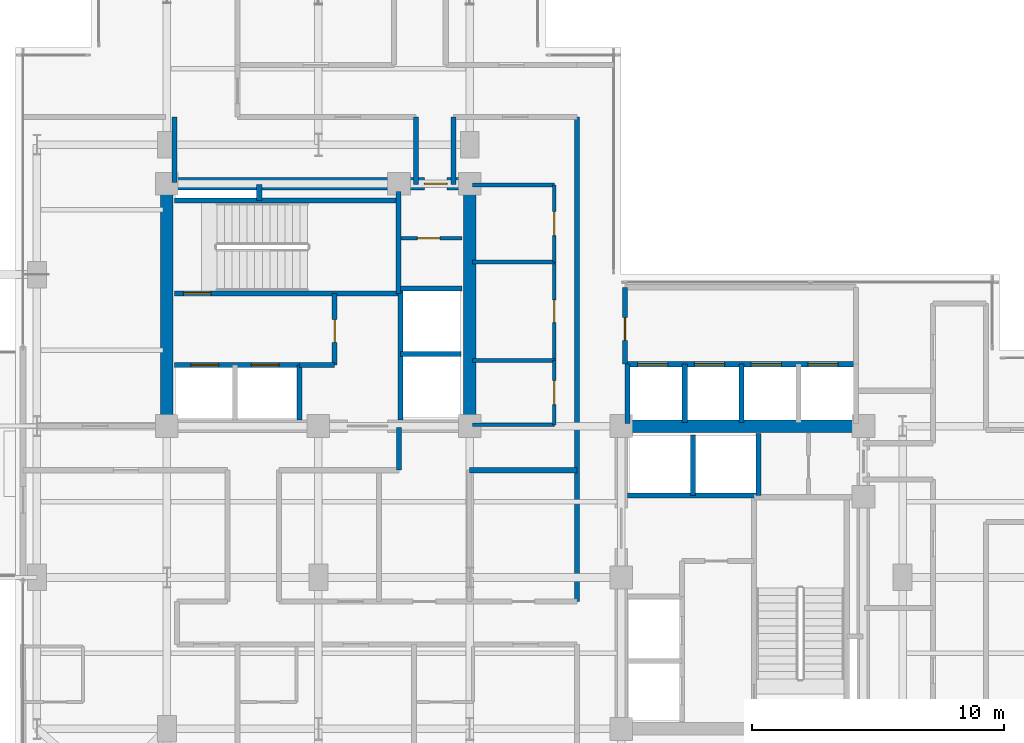
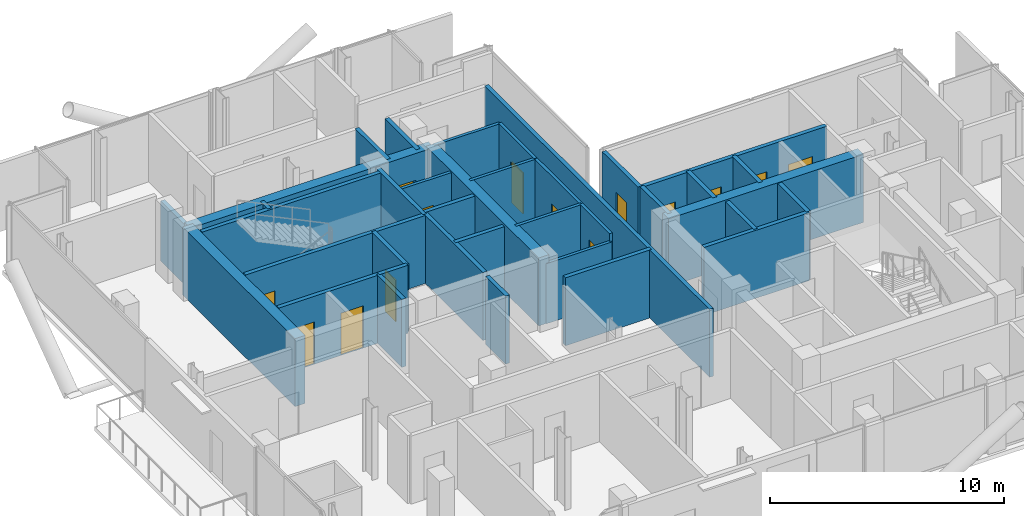
# One storey, part 18 of 22: 37 walls, 14 doors, 14 openings.
"""IFC4 building model written with IfcOpenShell, lengths in metres."""

import ifcopenshell
import ifcopenshell.guid

model = None  # the IFC model being written
_history = None  # IfcOwnerHistory: only IFC2X3 demands one
_inside = {}  # id of a spatial element -> (the spatial element, [elements in it])
_under = {}  # id of a project, library or spatial element -> (it, [spatial elements below it])
_declared = {}  # id of a project -> (the project, [libraries it declares])
_typed = {}  # id of a type object -> (the type object, [elements of that type])
_made_of = {}  # id of a material, layer set ... -> (it, [elements and type objects made of it])


def new_model(schema):
    """Start an empty IFC model of exactly this schema.

    Asked for "IFC4X3", IfcOpenShell would pick the latest addendum, in which some entities
    have other attributes; the version numbers below select the first issue.
    IFC2X3 requires an IfcOwnerHistory on every rooted entity: one is made here for all.
    """
    global model, _history
    if schema == "IFC4X3":
        model = ifcopenshell.file(schema_version=(4, 3, 0, 0))
    else:
        model = ifcopenshell.file(schema=schema)
    _inside.clear()
    _under.clear()
    _declared.clear()
    _typed.clear()
    _made_of.clear()
    _history = None
    if model.schema == "IFC2X3":
        org = make("IfcOrganization", Name="unknown")
        user = make(
            "IfcPersonAndOrganization",
            ThePerson=make("IfcPerson", FamilyName="unknown"),
            TheOrganization=org,
        )
        app = make(
            "IfcApplication",
            ApplicationDeveloper=org,
            Version="unknown",
            ApplicationFullName="unknown",
            ApplicationIdentifier="unknown",
        )
        _history = make(
            "IfcOwnerHistory",
            OwningUser=user,
            OwningApplication=app,
            ChangeAction="ADDED",
            CreationDate=0,
        )
    return model


def make(cls, **values):
    """One entity of the class cls with the attributes given. An attribute that is None is left unset."""
    return model.create_entity(
        cls, **{name: value for name, value in values.items() if value is not None}
    )


def rooted(cls, **values):
    """An entity with a GlobalId (a new one), such as an element, a storey or a relation."""
    return make(cls, GlobalId=ifcopenshell.guid.new(), OwnerHistory=_history, **values)


def si_unit(unit_type, name, prefix=None):
    """IfcSIUnit, for example si_unit("LENGTHUNIT", "METRE", prefix="MILLI")."""
    return make("IfcSIUnit", UnitType=unit_type, Prefix=prefix, Name=name)


def assignment(units):
    """IfcUnitAssignment: the units of a project."""
    return None if units is None else make("IfcUnitAssignment", Units=units)


def point(xyz):
    """IfcCartesianPoint."""
    return None if xyz is None else make("IfcCartesianPoint", Coordinates=xyz)


def direction(xyz):
    """IfcDirection."""
    return None if xyz is None else make("IfcDirection", DirectionRatios=xyz)


def frame(location, z_axis=None, x_axis=None):
    """IfcAxis2Placement3D, a coordinate frame: its origin and axes. An axis left out is left unset."""
    return make(
        "IfcAxis2Placement3D",
        Location=point(location),
        Axis=direction(z_axis),
        RefDirection=direction(x_axis),
    )


def frame_2d(location, x_axis=None):
    """IfcAxis2Placement2D, a coordinate frame in the plane: its origin and x axis."""
    return make(
        "IfcAxis2Placement2D", Location=point(location), RefDirection=direction(x_axis)
    )


def origin():
    """The frame at (0, 0, 0) with its axes left unset."""
    return frame((0.0, 0.0, 0.0))


def place(relative_to, where):
    """IfcLocalPlacement: puts the frame where relative to a parent placement (None: the world)."""
    return make(
        "IfcLocalPlacement", PlacementRelTo=relative_to, RelativePlacement=where
    )


def context(
    kind, dimensions, precision=None, world=None, true_north=None, identifier=None
):
    """IfcGeometricRepresentationContext, for example the 3D "Model" context."""
    return make(
        "IfcGeometricRepresentationContext",
        ContextIdentifier=identifier,
        ContextType=kind,
        CoordinateSpaceDimension=dimensions,
        Precision=precision,
        WorldCoordinateSystem=world,
        TrueNorth=true_north,
    )


def subcontext(parent, identifier, kind, view, scale=None):
    """IfcGeometricRepresentationSubContext, for example "Body" below "Model"."""
    return make(
        "IfcGeometricRepresentationSubContext",
        ContextIdentifier=identifier,
        ContextType=kind,
        ParentContext=parent,
        TargetScale=scale,
        TargetView=view,
    )


def project(units=None, contexts=None):
    """IfcProject with its units and contexts."""
    return rooted(
        "IfcProject",
        Name="project",
        RepresentationContexts=contexts,
        UnitsInContext=assignment(units),
    )


def spatial(cls, under=None, at=None, **own):
    """A site, building, storey or space (cls), placed at a placement, below another one or the project."""
    s = rooted(cls, ObjectPlacement=at, **own)
    if under is not None:
        _under.setdefault(under.id(), (under, []))[1].append(s)
    return s


def profile(cls, at=None, kind="AREA", **sizes):
    """A parametric profile (cls). Its sizes go by their IFC names, for example OverallWidth=200.0."""
    return make(cls, ProfileType=kind, Position=at, **sizes)


def rectangle(**sizes):
    """IfcRectangleProfileDef."""
    return profile("IfcRectangleProfileDef", **sizes)


def extrude(swept, where, along, depth):
    """IfcExtrudedAreaSolid: the profile swept, set in the frame where, extruded along a direction by depth."""
    return make(
        "IfcExtrudedAreaSolid",
        SweptArea=swept,
        Position=where,
        ExtrudedDirection=direction(along),
        Depth=depth,
    )


def shape(context_of_items, identifier, shape_type, items):
    """IfcShapeRepresentation: the items that make up one representation, for example the "Body"."""
    return make(
        "IfcShapeRepresentation",
        ContextOfItems=context_of_items,
        RepresentationIdentifier=identifier,
        RepresentationType=shape_type,
        Items=items,
    )


def material(Name=None, Category=None):
    """IfcMaterial."""
    return make("IfcMaterial", Name=Name, Category=Category)


def layer(
    of_material, thickness, ventilated=None, Name=None, Category=None, Priority=None
):
    """IfcMaterialLayer: one layer of a wall or slab, of a material (None: an air gap)."""
    return make(
        "IfcMaterialLayer",
        Material=of_material,
        LayerThickness=thickness,
        IsVentilated=ventilated,
        Name=Name,
        Category=Category,
        Priority=Priority,
    )


def layer_set(layers, Name=None):
    """IfcMaterialLayerSet."""
    return make("IfcMaterialLayerSet", MaterialLayers=layers, LayerSetName=Name)


def made_of(thing, what):
    """Note that an element or type object is made of a material, layer set ...; save() writes the relation."""
    if what is not None:
        _made_of.setdefault(what.id(), (what, []))[1].append(thing)
    return thing


def type_object(cls, material=None, **own):
    """A type object (cls), such as IfcWallType, which elements share."""
    return made_of(rooted(cls, **own), material)


def element(
    cls,
    number,
    at=None,
    inside=None,
    cuts=None,
    type_object=None,
    material=None,
    context=None,
    identifier="Body",
    shape_type=None,
    held_by="IfcProductDefinitionShape",
    body=None,
    shapes=None,
    **own,
):
    """One element of the class cls, such as IfcWall. Its Tag is "e" and its number.

    at: its placement. inside: the storey or other place that contains it. cuts: it is an
    opening in that element (IfcRelVoidsElement). A single representation is given by context,
    identifier, shape_type and body (its items); several are given by shapes. held_by: the class
    of the entity that holds the representations. save() writes the other relations.
    """
    e = rooted(cls, Tag="e%d" % number, ObjectPlacement=at, **own)
    if body is not None:
        shapes = [shape(context, identifier, shape_type, body)]
    if shapes is not None:
        e.Representation = make(held_by, Representations=shapes)
    if inside is not None:
        _inside.setdefault(inside.id(), (inside, []))[1].append(e)
    if cuts is not None:
        rooted(
            "IfcRelVoidsElement", RelatingBuildingElement=cuts, RelatedOpeningElement=e
        )
    if type_object is not None:
        _typed.setdefault(type_object.id(), (type_object, []))[1].append(e)
    return made_of(e, material)


def fill(opening, filler):
    """IfcRelFillsElement: the door or window that sits in an opening."""
    return rooted(
        "IfcRelFillsElement",
        RelatingOpeningElement=opening,
        RelatedBuildingElement=filler,
    )


def aggregate(whole, parts):
    """IfcRelAggregates: a whole, such as a stair, and the parts it consists of."""
    return rooted("IfcRelAggregates", RelatingObject=whole, RelatedObjects=parts)


def save(model, path):
    """Write the relations noted so far, then the file.

    IfcRelAggregates (storeys below a building ...), IfcRelContainedInSpatialStructure (elements
    in a storey), IfcRelDefinesByType, IfcRelAssociatesMaterial and IfcRelDeclares: one each for
    every whole, place, type object, material and project.
    """
    for whole, parts in _under.values():
        aggregate(whole, parts)
    for where, things in _inside.values():
        rooted(
            "IfcRelContainedInSpatialStructure",
            RelatedElements=things,
            RelatingStructure=where,
        )
    for kind, things in _typed.values():
        rooted("IfcRelDefinesByType", RelatedObjects=things, RelatingType=kind)
    for what, things in _made_of.values():
        rooted("IfcRelAssociatesMaterial", RelatedObjects=things, RelatingMaterial=what)
    for by, libraries in _declared.values():
        rooted("IfcRelDeclares", RelatingContext=by, RelatedDefinitions=libraries)
    model.write(path)


model = new_model("IFC4")

# Units and contexts
model_context = context("Model", 3, precision=1e-05, world=origin(), true_north=direction((0.0, 1.0)))
body_context = subcontext(model_context, "Body", "Model", "MODEL_VIEW")
ifc_project = project(units=[si_unit("LENGTHUNIT", "METRE"), si_unit("AREAUNIT", "SQUARE_METRE"), si_unit("VOLUMEUNIT", "CUBIC_METRE"), si_unit("PLANEANGLEUNIT", "RADIAN"), si_unit("MASSUNIT", "GRAM", prefix="KILO"), si_unit("THERMODYNAMICTEMPERATUREUNIT", "KELVIN"), si_unit("POWERUNIT", "WATT")], contexts=[model_context])

# Site, building, storey
site_placement = place(None, origin())
site = spatial("IfcSite", under=ifc_project, at=site_placement, CompositionType="ELEMENT")
building_placement = place(site_placement, origin())
building = spatial("IfcBuilding", under=site, at=building_placement, Name="Svarakhadi Broadcast Tower", CompositionType="ELEMENT")
storey_placement = place(building_placement, frame((0.0, 0.0, 176.699951171875)))
storey = spatial("IfcBuildingStorey", under=building, at=storey_placement, Name="L43", CompositionType="ELEMENT", Elevation=176.699951171875)

# Walls
ifc_material_1 = material(Name="Double-Stud Acoustic Studio Partition STC-62", Category="gypsum")
ifc_layer_1 = layer(ifc_material_1, 0.199951171875)
ifc_layer_set_1 = layer_set([ifc_layer_1], Name="Double-Stud Acoustic Studio Partition STC-62")
wall_type_1 = type_object("IfcWallType", Name="Wall_Acoust_200", PredefinedType="PARTITIONING", material=ifc_layer_set_1)
wall_1_placement = place(storey_placement, frame((15.199951171875, 17.949951171875, 0.0), z_axis=(0.0, 0.0, 1.0), x_axis=(0.0, -1.0, 0.0)))
element("IfcWall", 1, at=wall_1_placement, inside=storey, type_object=wall_type_1, Name="L43 Zone 2/3 Corridor Wall", PredefinedType="PARTITIONING", context=body_context, shape_type="SweptSolid", body=[
    extrude(rectangle(XDim=1.699951171875, YDim=0.199951171875, at=frame_2d((0.85009765625, 0.0))), origin(), (0.0, 0.0, 1.0), 3.5400390625),
])
wall_2_placement = place(storey_placement, frame((22.25, 11.050048828125, 0.0), z_axis=(0.0, 0.0, 1.0), x_axis=(0.0, 1.0, 0.0)))
element("IfcWall", 2, at=wall_2_placement, inside=storey, type_object=wall_type_1, Name="L43 Zone 2/3 Corridor Wall", PredefinedType="PARTITIONING", context=body_context, shape_type="SweptSolid", body=[
    extrude(rectangle(XDim=19.199951171875, YDim=0.199951171875, at=frame_2d((9.60009765625, 0.0))), origin(), (0.0, 0.0, 1.0), 3.5400390625),
])
for number, where, z_axis, x_axis, name in (
    (3, (17.35009765625, 30.25, 0.0), (0.0, 0.0, 1.0), (0.0, -1.0, 0.0), "L43 Zone 2/3 Corridor Wall"),
    (4, (15.8798828125, 27.580078125, 0.0), (0.0, 0.0, 1.0), (0.0, 1.0, 0.0), "L43 Zone 2/3 Corridor Wall"),
):
    element("IfcWall", number, at=place(storey_placement, frame(where, z_axis=z_axis, x_axis=x_axis)), inside=storey, type_object=wall_type_1, Name=name, PredefinedType="PARTITIONING", context=body_context, shape_type="SweptSolid", body=[
        extrude(rectangle(XDim=2.669921875, YDim=0.199951171875, at=frame_2d((1.3349609375, 0.0))), origin(), (0.0, 0.0, 1.0), 3.5400390625),
    ])
wall_3_placement = place(storey_placement, frame((18.0, 16.25, 0.0), z_axis=(0.0, 0.0, 1.0), x_axis=(1.0, 0.0, 0.0)))
element("IfcWall", 5, at=wall_3_placement, inside=storey, type_object=wall_type_1, Name="L43 Accessible Floor Washroom WC Wall", PredefinedType="PARTITIONING", context=body_context, shape_type="SweptSolid", body=[
    extrude(rectangle(XDim=4.25, YDim=0.199951171875, at=frame_2d((2.125, 0.0))), origin(), (0.0, 0.0, 1.0), 3.5400390625),
])
wall_4_placement = place(storey_placement, frame((6.300048828125, 27.64990234375, 0.0), z_axis=(0.0, 0.0, 1.0), x_axis=(0.0, 1.0, 0.0)))
element("IfcWall", 6, at=wall_4_placement, inside=storey, type_object=wall_type_1, Name="L43 Guest Library Study Wall", PredefinedType="PARTITIONING", context=body_context, shape_type="SweptSolid", body=[
    extrude(rectangle(XDim=2.60009765625, YDim=0.199951171875, at=frame_2d((1.300048828125, 0.0))), origin(), (0.0, 0.0, 1.0), 3.132080078125),
])
ifc_material_2 = material(Name="Concrete C40/50 (IS 456 M50)", Category="concrete")
ifc_layer_2 = layer(ifc_material_2, 0.199951171875)
ifc_layer_set_2 = layer_set([ifc_layer_2], Name="Concrete C40/50 (IS 456 M50)")
wall_type_2 = type_object("IfcWallType", Name="Wall_Fire_200", PredefinedType="SOLIDWALL", material=ifc_layer_set_2)
wall_5_placement = place(storey_placement, frame((9.659912109375, 26.93994140625, 0.0), z_axis=(0.0, 0.0, 1.0), x_axis=(0.0, 1.0, 0.0)))
element("IfcWall", 7, at=wall_5_placement, inside=storey, type_object=wall_type_2, Name="L43 Wet Riser Shaft East Wall", PredefinedType="SOLIDWALL", context=body_context, shape_type="SweptSolid", body=[
    extrude(rectangle(XDim=0.64013671875, YDim=0.199951171875, at=frame_2d((0.320068359375, 0.0))), origin(), (0.0, 0.0, 1.0), 3.5400390625),
])

# Wall, opening, door
ifc_material_3 = material(Name="Autoclaved Aerated Concrete Blockwork 150 mm", Category="masonry")
ifc_layer_3 = layer(ifc_material_3, 0.14990234375)
ifc_layer_set_3 = layer_set([ifc_layer_3], Name="Autoclaved Aerated Concrete Blockwork 150 mm")
wall_type_3 = type_object("IfcWallType", Name="Wall_Part_150", PredefinedType="PARTITIONING", material=ifc_layer_set_3)
wall_6_placement = place(storey_placement, frame((15.280029296875, 25.43994140625, 0.0), z_axis=(0.0, 0.0, 1.0), x_axis=(1.0, 0.0, 0.0)))
wall_6 = element("IfcWall", 8, at=wall_6_placement, inside=storey, type_object=wall_type_3, Name="L43 West Core Dual Store Wall", PredefinedType="PARTITIONING", context=body_context, shape_type="SweptSolid", body=[
    extrude(rectangle(XDim=2.419921875, YDim=0.14990234375, at=frame_2d((1.2099609375, 0.0))), origin(), (0.0, 0.0, 1.0), 3.5400390625),
])
opening_1_placement = place(wall_6_placement, frame((0.64990234375, 0.0, 0.0)))
opening_1 = element("IfcOpeningElement", 9, at=opening_1_placement, cuts=wall_6, Name="Opening D-03", PredefinedType="OPENING", context=body_context, shape_type="SweptSolid", body=[
    extrude(rectangle(XDim=0.89990234375, YDim=2.14990234375, at=frame_2d((0.449951171875, 1.074951171875))), frame((0.0, 0.0849609375, 0.0), z_axis=(0.0, -1.0, 0.0), x_axis=(1.0, 0.0, 0.0)), (0.0, 0.0, 1.0), 0.169921875),
])
ifc_material_4 = material(Name="Galvanised Powder-Coated Fire-Rated Steel Leaf", Category="steel")
door_type_1 = type_object("IfcDoorType", Name="Door_Fire_D03", OperationType="SINGLE_SWING_LEFT", PredefinedType="DOOR", material=ifc_material_4)
door_1_placement = place(opening_1_placement, origin())
door_1 = element("IfcDoor", 10, at=door_1_placement, inside=storey, type_object=door_type_1, Name="L43 West Core Store B Door", OperationType="SINGLE_SWING_LEFT", OverallHeight=2.14990234375, OverallWidth=0.89990234375, PredefinedType="DOOR", context=body_context, shape_type="SweptSolid", body=[
    extrude(rectangle(XDim=0.89990234375, YDim=2.14990234375, at=frame_2d((0.449951171875, 1.074951171875))), frame((0.0, 0.02490234375, 0.0), z_axis=(0.0, -1.0, 0.0), x_axis=(1.0, 0.0, 0.0)), (0.0, 0.0, 1.0), 0.050048828125),
])
fill(opening_1, door_1)

# Walls
wall_7_placement = place(storey_placement, frame((18.10009765625, 18.050048828125, 0.0), z_axis=(0.0, 0.0, 1.0), x_axis=(1.0, 0.0, 0.0)))
element("IfcWall", 11, at=wall_7_placement, inside=storey, type_object=wall_type_3, Name="L43 Hotel Floor Butler Service Pantry Wall", PredefinedType="PARTITIONING", context=body_context, shape_type="SweptSolid", body=[
    extrude(rectangle(XDim=3.25, YDim=0.14990234375, at=frame_2d((1.625, 0.0))), origin(), (0.0, 0.0, 1.0), 3.132080078125),
])
wall_8_placement = place(storey_placement, frame((18.10009765625, 20.60009765625, 0.0), z_axis=(0.0, 0.0, 1.0), x_axis=(1.0, 0.0, 0.0)))
element("IfcWall", 12, at=wall_8_placement, inside=storey, type_object=wall_type_3, Name="L43 Hotel Floor Butler Service Pantry Wall", PredefinedType="PARTITIONING", context=body_context, shape_type="SweptSolid", body=[
    extrude(rectangle(XDim=3.25, YDim=0.14990234375, at=frame_2d((1.625, 0.0))), origin(), (0.0, 0.0, 1.0), 3.5400390625),
])

# Wall, opening, door
wall_9_placement = place(storey_placement, frame((21.35009765625, 18.050048828125, 0.0), z_axis=(0.0, 0.0, 1.0), x_axis=(0.0, 1.0, 0.0)))
wall_9 = element("IfcWall", 13, at=wall_9_placement, inside=storey, type_object=wall_type_3, Name="L43 Hotel Floor Butler Service Pantry Wall", PredefinedType="PARTITIONING", context=body_context, shape_type="SweptSolid", body=[
    extrude(rectangle(XDim=2.550048828125, YDim=0.14990234375, at=frame_2d((1.27490234375, 0.0))), origin(), (0.0, 0.0, 1.0), 3.5400390625),
])
opening_2_placement = place(wall_9_placement, frame((0.800048828125, 0.0, 0.0)))
opening_2 = element("IfcOpeningElement", 14, at=opening_2_placement, cuts=wall_9, Name="Opening D-06", PredefinedType="OPENING", context=body_context, shape_type="SweptSolid", body=[
    extrude(rectangle(XDim=0.949951171875, YDim=2.14990234375, at=frame_2d((0.47509765625, 1.074951171875))), frame((0.0, 0.0849609375, 0.0), z_axis=(0.0, -1.0, 0.0), x_axis=(1.0, 0.0, 0.0)), (0.0, 0.0, 1.0), 0.169921875),
])
ifc_material_5 = material(Name="Solid-Core Teak Veneer Acoustic Timber Leaf", Category="wood")
door_type_2 = type_object("IfcDoorType", Name="Door_Office_D06", OperationType="SINGLE_SWING_LEFT", PredefinedType="DOOR", material=ifc_material_5)
door_2_placement = place(opening_2_placement, origin())
door_2 = element("IfcDoor", 15, at=door_2_placement, inside=storey, type_object=door_type_2, Name="L43 Hotel Floor Butler Service Pantry Door", OperationType="SINGLE_SWING_LEFT", OverallHeight=2.14990234375, OverallWidth=0.949951171875, PredefinedType="DOOR", context=body_context, shape_type="SweptSolid", body=[
    extrude(rectangle(XDim=0.949951171875, YDim=2.14990234375, at=frame_2d((0.47509765625, 1.074951171875))), frame((0.0, 0.02490234375, 0.0), z_axis=(0.0, -1.0, 0.0), x_axis=(1.0, 0.0, 0.0)), (0.0, 0.0, 1.0), 0.050048828125),
])
fill(opening_2, door_2)

# Wall
wall_10_placement = place(storey_placement, frame((18.10009765625, 24.5, 0.0), z_axis=(0.0, 0.0, 1.0), x_axis=(1.0, 0.0, 0.0)))
element("IfcWall", 16, at=wall_10_placement, inside=storey, type_object=wall_type_3, Name="L43 Accessible Guest Washroom WC Wall", PredefinedType="PARTITIONING", context=body_context, shape_type="SweptSolid", body=[
    extrude(rectangle(XDim=3.25, YDim=0.14990234375, at=frame_2d((1.625, 0.0))), origin(), (0.0, 0.0, 1.0), 3.5400390625),
])

# Wall, opening, door
wall_11_placement = place(storey_placement, frame((21.35009765625, 20.60009765625, 0.0), z_axis=(0.0, 0.0, 1.0), x_axis=(0.0, 1.0, 0.0)))
wall_11 = element("IfcWall", 17, at=wall_11_placement, inside=storey, type_object=wall_type_3, Name="L43 Accessible Guest Washroom WC Wall", PredefinedType="PARTITIONING", context=body_context, shape_type="SweptSolid", body=[
    extrude(rectangle(XDim=3.89990234375, YDim=0.14990234375, at=frame_2d((1.949951171875, 0.0))), origin(), (0.0, 0.0, 1.0), 3.5400390625),
])
opening_3_placement = place(wall_11_placement, frame((1.5, 0.0, 0.0)))
opening_3 = element("IfcOpeningElement", 18, at=opening_3_placement, cuts=wall_11, Name="Opening D-13", PredefinedType="OPENING", context=body_context, shape_type="SweptSolid", body=[
    extrude(rectangle(XDim=0.89990234375, YDim=2.10009765625, at=frame_2d((0.449951171875, 1.050048828125))), frame((0.0, 0.0849609375, 0.0), z_axis=(0.0, -1.0, 0.0), x_axis=(1.0, 0.0, 0.0)), (0.0, 0.0, 1.0), 0.169921875),
])
door_type_3 = type_object("IfcDoorType", Name="Door_Closet_D13", OperationType="SINGLE_SWING_RIGHT", PredefinedType="DOOR", material=ifc_material_5)
door_3_placement = place(opening_3_placement, origin())
door_3 = element("IfcDoor", 19, at=door_3_placement, inside=storey, type_object=door_type_3, Name="L43 Accessible Guest Washroom WC Door", OperationType="SINGLE_SWING_RIGHT", OverallHeight=2.10009765625, OverallWidth=0.89990234375, PredefinedType="DOOR", context=body_context, shape_type="SweptSolid", body=[
    extrude(rectangle(XDim=0.89990234375, YDim=2.10009765625, at=frame_2d((0.449951171875, 1.050048828125))), frame((0.0, 0.02490234375, 0.0), z_axis=(0.0, -1.0, 0.0), x_axis=(1.0, 0.0, 0.0)), (0.0, 0.0, 1.0), 0.050048828125),
])
fill(opening_3, door_3)

# Wall
wall_12_placement = place(storey_placement, frame((18.10009765625, 27.550048828125, 0.0), z_axis=(0.0, 0.0, 1.0), x_axis=(1.0, 0.0, 0.0)))
element("IfcWall", 20, at=wall_12_placement, inside=storey, type_object=wall_type_3, Name="L43 Guest Concierge Valet Office Wall", PredefinedType="PARTITIONING", context=body_context, shape_type="SweptSolid", body=[
    extrude(rectangle(XDim=3.25, YDim=0.14990234375, at=frame_2d((1.625, 0.0))), origin(), (0.0, 0.0, 1.0), 3.5400390625),
])

# Wall, opening, door
wall_13_placement = place(storey_placement, frame((21.35009765625, 24.5, 0.0), z_axis=(0.0, 0.0, 1.0), x_axis=(0.0, 1.0, 0.0)))
wall_13 = element("IfcWall", 21, at=wall_13_placement, inside=storey, type_object=wall_type_3, Name="L43 Guest Concierge Valet Office Wall", PredefinedType="PARTITIONING", context=body_context, shape_type="SweptSolid", body=[
    extrude(rectangle(XDim=3.050048828125, YDim=0.14990234375, at=frame_2d((1.52490234375, 0.0))), origin(), (0.0, 0.0, 1.0), 3.5400390625),
])
opening_4_placement = place(wall_13_placement, frame((1.050048828125, 0.0, 0.0)))
opening_4 = element("IfcOpeningElement", 22, at=opening_4_placement, cuts=wall_13, Name="Opening D-06", PredefinedType="OPENING", context=body_context, shape_type="SweptSolid", body=[
    extrude(rectangle(XDim=0.949951171875, YDim=2.14990234375, at=frame_2d((0.47509765625, 1.074951171875))), frame((0.0, 0.0849609375, 0.0), z_axis=(0.0, -1.0, 0.0), x_axis=(1.0, 0.0, 0.0)), (0.0, 0.0, 1.0), 0.169921875),
])
door_4_placement = place(opening_4_placement, origin())
door_4 = element("IfcDoor", 23, at=door_4_placement, inside=storey, type_object=door_type_2, Name="L43 Guest Concierge Valet Office Door", OperationType="SINGLE_SWING_LEFT", OverallHeight=2.14990234375, OverallWidth=0.949951171875, PredefinedType="DOOR", context=body_context, shape_type="SweptSolid", body=[
    extrude(rectangle(XDim=0.949951171875, YDim=2.14990234375, at=frame_2d((0.47509765625, 1.074951171875))), frame((0.0, 0.02490234375, 0.0), z_axis=(0.0, -1.0, 0.0), x_axis=(1.0, 0.0, 0.0)), (0.0, 0.0, 1.0), 0.050048828125),
])
fill(opening_4, door_4)

ifc_material_6 = material(Name="Concrete C50/60 (IS 456 M60)", Category="concrete")
ifc_layer_4 = layer(ifc_material_6, 0.199951171875)
ifc_layer_set_4 = layer_set([ifc_layer_4], Name="Concrete C50/60 (IS 456 M60)")
wall_type_4 = type_object("IfcWallType", Name="Wall_Shear_200", PredefinedType="SHEAR", material=ifc_layer_set_4)
wall_14_placement = place(storey_placement, frame((6.300048828125, 23.260009765625, 0.0), z_axis=(0.0, 0.0, 1.0), x_axis=(1.0, 0.0, 0.0)))
wall_14 = element("IfcWall", 24, at=wall_14_placement, inside=storey, type_object=wall_type_4, Name="L43 Stair ST-01 South RC Shaft Wall", PredefinedType="SHEAR", context=body_context, shape_type="SweptSolid", body=[
    extrude(rectangle(XDim=8.8798828125, YDim=0.199951171875, at=frame_2d((4.43994140625, 0.0))), origin(), (0.0, 0.0, 1.0), 3.5400390625),
])
opening_5_placement = place(wall_14_placement, frame((0.35009765625, 0.0, 0.0)))
opening_5 = element("IfcOpeningElement", 25, at=opening_5_placement, cuts=wall_14, Name="Opening D-01", PredefinedType="OPENING", context=body_context, shape_type="SweptSolid", body=[
    extrude(rectangle(XDim=1.10009765625, YDim=2.199951171875, at=frame_2d((0.550048828125, 1.10009765625))), frame((0.0, 0.10986328125, 0.0), z_axis=(0.0, -1.0, 0.0), x_axis=(1.0, 0.0, 0.0)), (0.0, 0.0, 1.0), 0.219970703125),
])
door_type_4 = type_object("IfcDoorType", Name="Door_Stair_D01", OperationType="SINGLE_SWING_LEFT", PredefinedType="DOOR", material=ifc_material_4)
door_5_placement = place(opening_5_placement, origin())
door_5 = element("IfcDoor", 26, at=door_5_placement, inside=storey, type_object=door_type_4, Name="L43 Protected Exit Stair ST-01 Fire Door", OperationType="SINGLE_SWING_LEFT", OverallHeight=2.199951171875, OverallWidth=1.10009765625, PredefinedType="DOOR", context=body_context, shape_type="SweptSolid", body=[
    extrude(rectangle(XDim=1.10009765625, YDim=2.199951171875, at=frame_2d((0.550048828125, 1.10009765625))), frame((0.0, 0.02490234375, 0.0), z_axis=(0.0, -1.0, 0.0), x_axis=(1.0, 0.0, 0.0)), (0.0, 0.0, 1.0), 0.050048828125),
])
fill(opening_5, door_5)

# Walls
wall_15_placement = place(storey_placement, frame((6.300048828125, 26.93994140625, 0.0), z_axis=(0.0, 0.0, 1.0), x_axis=(1.0, 0.0, 0.0)))
element("IfcWall", 27, at=wall_15_placement, inside=storey, type_object=wall_type_4, Name="L43 Stair ST-01 North RC Shaft Wall", PredefinedType="SHEAR", context=body_context, shape_type="SweptSolid", body=[
    extrude(rectangle(XDim=8.8798828125, YDim=0.199951171875, at=frame_2d((4.43994140625, 0.0))), origin(), (0.0, 0.0, 1.0), 3.5400390625),
])
wall_16_placement = place(storey_placement, frame((15.179931640625, 23.260009765625, 0.0), z_axis=(0.0, 0.0, 1.0), x_axis=(0.0, 1.0, 0.0)))
element("IfcWall", 28, at=wall_16_placement, inside=storey, type_object=wall_type_4, Name="L43 Stair ST-01 East RC Shaft Wall", PredefinedType="SHEAR", context=body_context, shape_type="SweptSolid", body=[
    extrude(rectangle(XDim=4.0400390625, YDim=0.199951171875, at=frame_2d((2.02001953125, 0.0))), origin(), (0.0, 0.0, 1.0), 3.5400390625),
])

# Wall, openings, doors
wall_17_placement = place(storey_placement, frame((6.300048828125, 20.419921875, 0.0), z_axis=(0.0, 0.0, 1.0), x_axis=(1.0, 0.0, 0.0)))
wall_17 = element("IfcWall", 29, at=wall_17_placement, inside=storey, type_object=wall_type_4, Name="L43 Firefighting Lift LF-01/02 Shaft Wall", PredefinedType="SHEAR", context=body_context, shape_type="SweptSolid", body=[
    extrude(rectangle(XDim=4.949951171875, YDim=0.199951171875, at=frame_2d((2.47509765625, 0.0))), origin(), (0.0, 0.0, 1.0), 3.5400390625),
])
opening_6_placement = place(wall_17_placement, frame((0.64990234375, 0.0, 0.0)))
opening_6 = element("IfcOpeningElement", 30, at=opening_6_placement, cuts=wall_17, Name="Opening LD-01", PredefinedType="OPENING", context=body_context, shape_type="SweptSolid", body=[
    extrude(rectangle(XDim=1.10009765625, YDim=2.199951171875, at=frame_2d((0.550048828125, 1.10009765625))), frame((0.0, 0.10986328125, 0.0), z_axis=(0.0, -1.0, 0.0), x_axis=(1.0, 0.0, 0.0)), (0.0, 0.0, 1.0), 0.219970703125),
])
opening_7_placement = place(wall_17_placement, frame((3.050048828125, 0.0, 0.0)))
opening_7 = element("IfcOpeningElement", 31, at=opening_7_placement, cuts=wall_17, Name="Opening LD-01", PredefinedType="OPENING", context=body_context, shape_type="SweptSolid", body=[
    extrude(rectangle(XDim=1.10009765625, YDim=2.199951171875, at=frame_2d((0.550048828125, 1.10009765625))), frame((0.0, 0.10986328125, 0.0), z_axis=(0.0, -1.0, 0.0), x_axis=(1.0, 0.0, 0.0)), (0.0, 0.0, 1.0), 0.219970703125),
])
door_type_5 = type_object("IfcDoorType", Name="Door_Lift_LD01", OperationType="SLIDING_TO_LEFT", PredefinedType="DOOR", material=ifc_material_4)
door_6_placement = place(opening_6_placement, origin())
door_6 = element("IfcDoor", 32, at=door_6_placement, inside=storey, type_object=door_type_5, Name="L43 Firefighting Lift LF-01 Landing Door", OperationType="SLIDING_TO_LEFT", OverallHeight=2.199951171875, OverallWidth=1.10009765625, PredefinedType="DOOR", context=body_context, shape_type="SweptSolid", body=[
    extrude(rectangle(XDim=1.10009765625, YDim=2.199951171875, at=frame_2d((0.550048828125, 1.10009765625))), frame((0.0, 0.02490234375, 0.0), z_axis=(0.0, -1.0, 0.0), x_axis=(1.0, 0.0, 0.0)), (0.0, 0.0, 1.0), 0.050048828125),
])
fill(opening_6, door_6)
door_7_placement = place(opening_7_placement, origin())
door_7 = element("IfcDoor", 33, at=door_7_placement, inside=storey, type_object=door_type_5, Name="L43 Firefighting Lift LF-02 Landing Door", OperationType="SLIDING_TO_LEFT", OverallHeight=2.199951171875, OverallWidth=1.10009765625, PredefinedType="DOOR", context=body_context, shape_type="SweptSolid", body=[
    extrude(rectangle(XDim=1.10009765625, YDim=2.199951171875, at=frame_2d((0.550048828125, 1.10009765625))), frame((0.0, 0.02490234375, 0.0), z_axis=(0.0, -1.0, 0.0), x_axis=(1.0, 0.0, 0.0)), (0.0, 0.0, 1.0), 0.050048828125),
])
fill(opening_7, door_7)

# Walls
wall_18_placement = place(storey_placement, frame((11.25, 18.25, 0.0), z_axis=(0.0, 0.0, 1.0), x_axis=(0.0, 1.0, 0.0)))
element("IfcWall", 34, at=wall_18_placement, inside=storey, type_object=wall_type_4, Name="L43 Firefighting Lift LF-02 East Wall", PredefinedType="SHEAR", context=body_context, shape_type="SweptSolid", body=[
    extrude(rectangle(XDim=2.169921875, YDim=0.199951171875, at=frame_2d((1.0849609375, 0.0))), origin(), (0.0, 0.0, 1.0), 3.5400390625),
])
wall_19_placement = place(storey_placement, frame((11.25, 20.419921875, 0.0), z_axis=(0.0, 0.0, 1.0), x_axis=(1.0, 0.0, 0.0)))
element("IfcWall", 35, at=wall_19_placement, inside=storey, type_object=wall_type_4, Name="L43 West Firefighting Lobby South Wall", PredefinedType="SHEAR", context=body_context, shape_type="SweptSolid", body=[
    extrude(rectangle(XDim=1.39990234375, YDim=0.199951171875, at=frame_2d((0.699951171875, 0.0))), origin(), (0.0, 0.0, 1.0), 3.5400390625),
])

# Wall, opening, door
wall_20_placement = place(storey_placement, frame((12.64990234375, 20.419921875, 0.0), z_axis=(0.0, 0.0, 1.0), x_axis=(0.0, 1.0, 0.0)))
wall_20 = element("IfcWall", 36, at=wall_20_placement, inside=storey, type_object=wall_type_4, Name="L43 West Firefighting Lobby East Wall", PredefinedType="SHEAR", context=body_context, shape_type="SweptSolid", body=[
    extrude(rectangle(XDim=2.840087890625, YDim=0.199951171875, at=frame_2d((1.419921875, 0.0))), origin(), (0.0, 0.0, 1.0), 3.5400390625),
])
opening_8_placement = place(wall_20_placement, frame((0.89990234375, 0.0, 0.0)))
opening_8 = element("IfcOpeningElement", 37, at=opening_8_placement, cuts=wall_20, Name="Opening D-03", PredefinedType="OPENING", context=body_context, shape_type="SweptSolid", body=[
    extrude(rectangle(XDim=0.89990234375, YDim=2.14990234375, at=frame_2d((0.449951171875, 1.074951171875))), frame((0.0, 0.10986328125, 0.0), z_axis=(0.0, -1.0, 0.0), x_axis=(1.0, 0.0, 0.0)), (0.0, 0.0, 1.0), 0.219970703125),
])
door_8_placement = place(opening_8_placement, origin())
door_8 = element("IfcDoor", 38, at=door_8_placement, inside=storey, type_object=door_type_1, Name="L43 West Firefighting Lobby Fire Door", OperationType="SINGLE_SWING_LEFT", OverallHeight=2.14990234375, OverallWidth=0.89990234375, PredefinedType="DOOR", context=body_context, shape_type="SweptSolid", body=[
    extrude(rectangle(XDim=0.89990234375, YDim=2.14990234375, at=frame_2d((0.449951171875, 1.074951171875))), frame((0.0, 0.02490234375, 0.0), z_axis=(0.0, -1.0, 0.0), x_axis=(1.0, 0.0, 0.0)), (0.0, 0.0, 1.0), 0.050048828125),
])
fill(opening_8, door_8)

# Walls
wall_21_placement = place(storey_placement, frame((15.25, 18.25, 0.0), z_axis=(0.0, 0.0, 1.0), x_axis=(0.0, 1.0, 0.0)))
element("IfcWall", 39, at=wall_21_placement, inside=storey, type_object=wall_type_4, Name="L43 High-Rise Lift LF-13/14 West Shaft Wall", PredefinedType="SHEAR", context=body_context, shape_type="SweptSolid", body=[
    extrude(rectangle(XDim=5.199951171875, YDim=0.199951171875, at=frame_2d((2.60009765625, 0.0))), origin(), (0.0, 0.0, 1.0), 3.5400390625),
])
wall_22_placement = place(storey_placement, frame((15.25, 20.85009765625, 0.0), z_axis=(0.0, 0.0, 1.0), x_axis=(1.0, 0.0, 0.0)))
element("IfcWall", 40, at=wall_22_placement, inside=storey, type_object=wall_type_4, Name="L43 High-Rise Lift LF-13/14 Divider", PredefinedType="SHEAR", context=body_context, shape_type="SweptSolid", body=[
    extrude(rectangle(XDim=2.39990234375, YDim=0.199951171875, at=frame_2d((1.199951171875, 0.0))), origin(), (0.0, 0.0, 1.0), 3.5400390625),
])
wall_23_placement = place(storey_placement, frame((15.25, 23.449951171875, 0.0), z_axis=(0.0, 0.0, 1.0), x_axis=(1.0, 0.0, 0.0)))
element("IfcWall", 41, at=wall_23_placement, inside=storey, type_object=wall_type_4, Name="L43 High-Rise Lift LF-13/14 North Wall", PredefinedType="SHEAR", context=body_context, shape_type="SweptSolid", body=[
    extrude(rectangle(XDim=2.449951171875, YDim=0.199951171875, at=frame_2d((1.22509765625, 0.0))), origin(), (0.0, 0.0, 1.0), 3.5400390625),
])
wall_24_placement = place(storey_placement, frame((24.25, 15.25, 0.0), z_axis=(0.0, 0.0, 1.0), x_axis=(1.0, 0.0, 0.0)))
element("IfcWall", 42, at=wall_24_placement, inside=storey, type_object=wall_type_4, Name="L43 High-Rise Lift LF-15/16 South Shaft Wall", PredefinedType="SHEAR", context=body_context, shape_type="SweptSolid", body=[
    extrude(rectangle(XDim=5.199951171875, YDim=0.199951171875, at=frame_2d((2.60009765625, 0.0))), origin(), (0.0, 0.0, 1.0), 3.5400390625),
])
wall_25_placement = place(storey_placement, frame((26.85009765625, 15.25, 0.0), z_axis=(0.0, 0.0, 1.0), x_axis=(0.0, 1.0, 0.0)))
element("IfcWall", 43, at=wall_25_placement, inside=storey, type_object=wall_type_4, Name="L43 High-Rise Lift LF-15/16 Divider", PredefinedType="SHEAR", context=body_context, shape_type="SweptSolid", body=[
    extrude(rectangle(XDim=2.39990234375, YDim=0.199951171875, at=frame_2d((1.199951171875, 0.0))), origin(), (0.0, 0.0, 1.0), 3.5400390625),
])
wall_26_placement = place(storey_placement, frame((29.449951171875, 15.25, 0.0), z_axis=(0.0, 0.0, 1.0), x_axis=(0.0, 1.0, 0.0)))
element("IfcWall", 44, at=wall_26_placement, inside=storey, type_object=wall_type_4, Name="L43 High-Rise Lift LF-15/16 East Wall", PredefinedType="SHEAR", context=body_context, shape_type="SweptSolid", body=[
    extrude(rectangle(XDim=2.449951171875, YDim=0.199951171875, at=frame_2d((1.22509765625, 0.0))), origin(), (0.0, 0.0, 1.0), 3.5400390625),
])
wall_27_placement = place(storey_placement, frame((24.25, 18.10009765625, 0.0), z_axis=(0.0, 0.0, 1.0), x_axis=(0.0, 1.0, 0.0)))
element("IfcWall", 45, at=wall_27_placement, inside=storey, type_object=wall_type_4, Name="L43 Bank B West Shaft Wall", PredefinedType="SHEAR", context=body_context, shape_type="SweptSolid", body=[
    extrude(rectangle(XDim=2.349853515625, YDim=0.199951171875, at=frame_2d((1.1748046875, 0.0))), origin(), (0.0, 0.0, 1.0), 3.5400390625),
])

# Wall, openings, doors
wall_28_placement = place(storey_placement, frame((24.25, 20.449951171875, 0.0), z_axis=(0.0, 0.0, 1.0), x_axis=(1.0, 0.0, 0.0)))
wall_28 = element("IfcWall", 46, at=wall_28_placement, inside=storey, type_object=wall_type_4, Name="L43 Bank B North Landing Wall", PredefinedType="SHEAR", context=body_context, shape_type="SweptSolid", body=[
    extrude(rectangle(XDim=9.050048828125, YDim=0.199951171875, at=frame_2d((4.52490234375, 0.0))), origin(), (0.0, 0.0, 1.0), 3.5400390625),
])
opening_9_placement = place(wall_28_placement, frame((0.39990234375, 0.0, 0.0)))
opening_9 = element("IfcOpeningElement", 47, at=opening_9_placement, cuts=wall_28, Name="Opening LD-02", PredefinedType="OPENING", context=body_context, shape_type="SweptSolid", body=[
    extrude(rectangle(XDim=1.199951171875, YDim=2.199951171875, at=frame_2d((0.60009765625, 1.10009765625))), frame((0.0, 0.10986328125, 0.0), z_axis=(0.0, -1.0, 0.0), x_axis=(1.0, 0.0, 0.0)), (0.0, 0.0, 1.0), 0.219970703125),
])
opening_10_placement = place(wall_28_placement, frame((2.64990234375, 0.0, 0.0)))
opening_10 = element("IfcOpeningElement", 48, at=opening_10_placement, cuts=wall_28, Name="Opening LD-02", PredefinedType="OPENING", context=body_context, shape_type="SweptSolid", body=[
    extrude(rectangle(XDim=1.199951171875, YDim=2.199951171875, at=frame_2d((0.60009765625, 1.10009765625))), frame((0.0, 0.10986328125, 0.0), z_axis=(0.0, -1.0, 0.0), x_axis=(1.0, 0.0, 0.0)), (0.0, 0.0, 1.0), 0.219970703125),
])
opening_11_placement = place(wall_28_placement, frame((4.89990234375, 0.0, 0.0)))
opening_11 = element("IfcOpeningElement", 49, at=opening_11_placement, cuts=wall_28, Name="Opening LD-02", PredefinedType="OPENING", context=body_context, shape_type="SweptSolid", body=[
    extrude(rectangle(XDim=1.199951171875, YDim=2.199951171875, at=frame_2d((0.60009765625, 1.10009765625))), frame((0.0, 0.10986328125, 0.0), z_axis=(0.0, -1.0, 0.0), x_axis=(1.0, 0.0, 0.0)), (0.0, 0.0, 1.0), 0.219970703125),
])
opening_12_placement = place(wall_28_placement, frame((7.14990234375, 0.0, 0.0)))
opening_12 = element("IfcOpeningElement", 50, at=opening_12_placement, cuts=wall_28, Name="Opening LD-02", PredefinedType="OPENING", context=body_context, shape_type="SweptSolid", body=[
    extrude(rectangle(XDim=1.199951171875, YDim=2.199951171875, at=frame_2d((0.60009765625, 1.10009765625))), frame((0.0, 0.10986328125, 0.0), z_axis=(0.0, -1.0, 0.0), x_axis=(1.0, 0.0, 0.0)), (0.0, 0.0, 1.0), 0.219970703125),
])
door_type_6 = type_object("IfcDoorType", Name="Door_Lift_LD02", OperationType="SLIDING_TO_RIGHT", PredefinedType="DOOR", material=ifc_material_4)
door_9_placement = place(opening_9_placement, origin())
door_9 = element("IfcDoor", 51, at=door_9_placement, inside=storey, type_object=door_type_6, Name="L43 Mid-Rise Lift LF-09 Landing Door", OperationType="SLIDING_TO_RIGHT", OverallHeight=2.199951171875, OverallWidth=1.199951171875, PredefinedType="DOOR", context=body_context, shape_type="SweptSolid", body=[
    extrude(rectangle(XDim=1.199951171875, YDim=2.199951171875, at=frame_2d((0.60009765625, 1.10009765625))), frame((0.0, 0.02490234375, 0.0), z_axis=(0.0, -1.0, 0.0), x_axis=(1.0, 0.0, 0.0)), (0.0, 0.0, 1.0), 0.050048828125),
])
fill(opening_9, door_9)
door_10_placement = place(opening_10_placement, origin())
door_10 = element("IfcDoor", 52, at=door_10_placement, inside=storey, type_object=door_type_6, Name="L43 Mid-Rise Lift LF-10 Landing Door", OperationType="SLIDING_TO_RIGHT", OverallHeight=2.199951171875, OverallWidth=1.199951171875, PredefinedType="DOOR", context=body_context, shape_type="SweptSolid", body=[
    extrude(rectangle(XDim=1.199951171875, YDim=2.199951171875, at=frame_2d((0.60009765625, 1.10009765625))), frame((0.0, 0.02490234375, 0.0), z_axis=(0.0, -1.0, 0.0), x_axis=(1.0, 0.0, 0.0)), (0.0, 0.0, 1.0), 0.050048828125),
])
fill(opening_10, door_10)
door_11_placement = place(opening_11_placement, origin())
door_11 = element("IfcDoor", 53, at=door_11_placement, inside=storey, type_object=door_type_6, Name="L43 Mid-Rise Lift LF-11 Landing Door", OperationType="SLIDING_TO_RIGHT", OverallHeight=2.199951171875, OverallWidth=1.199951171875, PredefinedType="DOOR", context=body_context, shape_type="SweptSolid", body=[
    extrude(rectangle(XDim=1.199951171875, YDim=2.199951171875, at=frame_2d((0.60009765625, 1.10009765625))), frame((0.0, 0.02490234375, 0.0), z_axis=(0.0, -1.0, 0.0), x_axis=(1.0, 0.0, 0.0)), (0.0, 0.0, 1.0), 0.050048828125),
])
fill(opening_11, door_11)
door_12_placement = place(opening_12_placement, origin())
door_12 = element("IfcDoor", 54, at=door_12_placement, inside=storey, type_object=door_type_6, Name="L43 Mid-Rise Lift LF-12 Landing Door", OperationType="SLIDING_TO_RIGHT", OverallHeight=2.199951171875, OverallWidth=1.199951171875, PredefinedType="DOOR", context=body_context, shape_type="SweptSolid", body=[
    extrude(rectangle(XDim=1.199951171875, YDim=2.199951171875, at=frame_2d((0.60009765625, 1.10009765625))), frame((0.0, 0.02490234375, 0.0), z_axis=(0.0, -1.0, 0.0), x_axis=(1.0, 0.0, 0.0)), (0.0, 0.0, 1.0), 0.050048828125),
])
fill(opening_12, door_12)

# Walls
for number, where, z_axis, x_axis, name in (
    (55, (26.52001953125, 18.14990234375, 0.0), (0.0, 0.0, 1.0), (0.0, 1.0, 0.0), "L43 Bank B Divider"),
    (56, (28.77001953125, 18.14990234375, 0.0), (0.0, 0.0, 1.0), (0.0, 1.0, 0.0), "L43 Bank B Divider"),
):
    element("IfcWall", number, at=place(storey_placement, frame(where, z_axis=z_axis, x_axis=x_axis)), inside=storey, type_object=wall_type_4, Name=name, PredefinedType="SHEAR", context=body_context, shape_type="SweptSolid", body=[
        extrude(rectangle(XDim=2.300048828125, YDim=0.199951171875, at=frame_2d((1.14990234375, 0.0))), origin(), (0.0, 0.0, 1.0), 3.5400390625),
    ])

# Wall, opening, door
wall_29_placement = place(storey_placement, frame((24.14990234375, 20.449951171875, 0.0), z_axis=(0.0, 0.0, 1.0), x_axis=(0.0, 1.0, 0.0)))
wall_29 = element("IfcWall", 57, at=wall_29_placement, inside=storey, type_object=wall_type_4, Name="L43 Bank B Lift Hall West Wall", PredefinedType="SHEAR", context=body_context, shape_type="SweptSolid", body=[
    extrude(rectangle(XDim=3.050048828125, YDim=0.199951171875, at=frame_2d((1.52490234375, 0.0))), origin(), (0.0, 0.0, 1.0), 3.5400390625),
])
opening_13_placement = place(wall_29_placement, frame((0.949951171875, 0.0, 0.0)))
opening_13 = element("IfcOpeningElement", 58, at=opening_13_placement, cuts=wall_29, Name="Opening D-03", PredefinedType="OPENING", context=body_context, shape_type="SweptSolid", body=[
    extrude(rectangle(XDim=0.89990234375, YDim=2.14990234375, at=frame_2d((0.449951171875, 1.074951171875))), frame((0.0, 0.10986328125, 0.0), z_axis=(0.0, -1.0, 0.0), x_axis=(1.0, 0.0, 0.0)), (0.0, 0.0, 1.0), 0.219970703125),
])
door_13_placement = place(opening_13_placement, origin())
door_13 = element("IfcDoor", 59, at=door_13_placement, inside=storey, type_object=door_type_1, Name="L43 Mid-Rise Lift Hall West Corridor Door", OperationType="SINGLE_SWING_LEFT", OverallHeight=2.14990234375, OverallWidth=0.89990234375, PredefinedType="DOOR", context=body_context, shape_type="SweptSolid", body=[
    extrude(rectangle(XDim=0.89990234375, YDim=2.14990234375, at=frame_2d((0.449951171875, 1.074951171875))), frame((0.0, 0.02490234375, 0.0), z_axis=(0.0, -1.0, 0.0), x_axis=(1.0, 0.0, 0.0)), (0.0, 0.0, 1.0), 0.050048828125),
])
fill(opening_13, door_13)

ifc_layer_5 = layer(ifc_material_6, 0.5)
ifc_layer_set_5 = layer_set([ifc_layer_5], Name="Concrete C50/60 (IS 456 M60)")
wall_type_5 = type_object("IfcWallType", Name="Wall_Shear_500", PredefinedType="SHEAR", material=ifc_layer_set_5)
wall_30_placement = place(storey_placement, frame((6.0, 27.60009765625, 0.0), z_axis=(0.0, 0.0, 1.0), x_axis=(1.0, 0.0, 0.0)))
wall_30 = element("IfcWall", 60, at=wall_30_placement, inside=storey, type_object=wall_type_5, Name="L43 West Core North Shear Wall", PredefinedType="SHEAR", context=body_context, shape_type="SweptSolid", body=[
    extrude(rectangle(XDim=12.0, YDim=0.5, at=frame_2d((6.0, 0.0))), origin(), (0.0, 0.0, 1.0), 3.5400390625),
])
opening_14_placement = place(wall_30_placement, frame((10.199951171875, 0.0, 0.0)))
opening_14 = element("IfcOpeningElement", 61, at=opening_14_placement, cuts=wall_30, Name="Opening D-04", PredefinedType="OPENING", context=body_context, shape_type="SweptSolid", body=[
    extrude(rectangle(XDim=0.89990234375, YDim=2.14990234375, at=frame_2d((0.449951171875, 1.074951171875))), frame((0.0, 0.260009765625, 0.0), z_axis=(0.0, -1.0, 0.0), x_axis=(1.0, 0.0, 0.0)), (0.0, 0.0, 1.0), 0.52001953125),
])
door_type_7 = type_object("IfcDoorType", Name="Door_Fire_D04", OperationType="SINGLE_SWING_RIGHT", PredefinedType="DOOR", material=ifc_material_4)
door_14_placement = place(opening_14_placement, origin())
door_14 = element("IfcDoor", 62, at=door_14_placement, inside=storey, type_object=door_type_7, Name="L43 West Core Store A Door", OperationType="SINGLE_SWING_RIGHT", OverallHeight=2.14990234375, OverallWidth=0.89990234375, PredefinedType="DOOR", context=body_context, shape_type="SweptSolid", body=[
    extrude(rectangle(XDim=0.89990234375, YDim=2.14990234375, at=frame_2d((0.449951171875, 1.074951171875))), frame((0.0, 0.02490234375, 0.0), z_axis=(0.0, -1.0, 0.0), x_axis=(1.0, 0.0, 0.0)), (0.0, 0.0, 1.0), 0.050048828125),
])
fill(opening_14, door_14)

# Walls
for number, where, z_axis, x_axis, name in (
    (63, (6.0, 18.0, 0.0), (0.0, 0.0, 1.0), (0.0, 1.0, 0.0), "L43 West Core West Shear Wall"),
    (64, (18.0, 18.0, 0.0), (0.0, 0.0, 1.0), (0.0, 1.0, 0.0), "L43 West Core East Shear Wall"),
    (65, (24.0, 18.0, 0.0), (0.0, 0.0, 1.0), (1.0, 0.0, 0.0), "L43 East Core North Shear Wall"),
):
    element("IfcWall", number, at=place(storey_placement, frame(where, z_axis=z_axis, x_axis=x_axis)), inside=storey, type_object=wall_type_5, Name=name, PredefinedType="SHEAR", context=body_context, shape_type="SweptSolid", body=[
        extrude(rectangle(XDim=9.60009765625, YDim=0.5, at=frame_2d((4.800048828125, 0.0))), origin(), (0.0, 0.0, 1.0), 3.5400390625),
    ])

save(model, "model.ifc")
